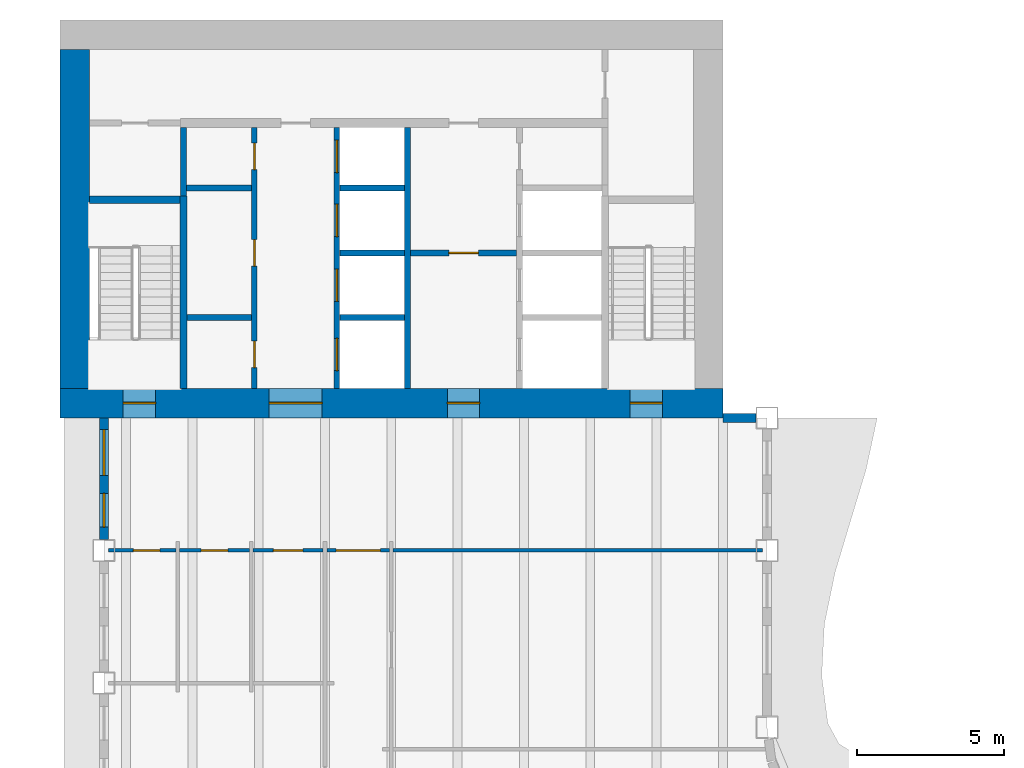
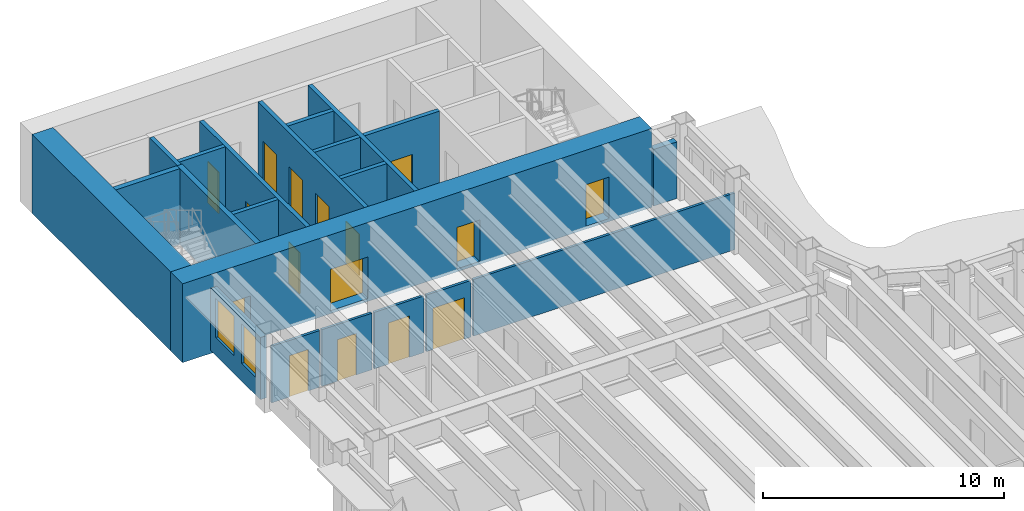
# One storey, part 9 of 17: 21 walls, 16 doors, 2 windows, 18 openings.
"""IFC4 building model written with IfcOpenShell, lengths in metres."""

from ifc_helpers import new_model, si_unit, direction, frame, frame_2d, origin, place, context, subcontext, project, spatial, rectangle, extrude, material, layer, layer_set, type_object, element, fill, save


model = new_model("IFC4")

# Units and contexts
model_context = context("Model", 3, precision=1e-05, world=origin(), true_north=direction((0.0, 1.0)))
body_context = subcontext(model_context, "Body", "Model", "MODEL_VIEW")
ifc_project = project(units=[si_unit("LENGTHUNIT", "METRE"), si_unit("AREAUNIT", "SQUARE_METRE"), si_unit("VOLUMEUNIT", "CUBIC_METRE"), si_unit("PLANEANGLEUNIT", "RADIAN"), si_unit("MASSUNIT", "GRAM", prefix="KILO")], contexts=[model_context])

# Site, building, storey
site_placement = place(None, origin())
site = spatial("IfcSite", under=ifc_project, at=site_placement, CompositionType="ELEMENT")
building_placement = place(site_placement, origin())
building = spatial("IfcBuilding", under=site, at=building_placement, Name="Sennacour Bend Tower", CompositionType="ELEMENT")
storey_placement = place(building_placement, frame((0.0, 0.0, 219.0)))
storey = spatial("IfcBuildingStorey", under=building, at=storey_placement, Name="L50", CompositionType="ELEMENT", Elevation=219.0)

# Wall, openings, doors
ifc_material_1 = material(Name="Concrete C60/75", Category="concrete")
ifc_layer_1 = layer(ifc_material_1, 1.0, Name="Concrete C60/75", Category="concrete")
ifc_layer_set_1 = layer_set([ifc_layer_1], Name="Concrete C60/75")
wall_type_1 = type_object("IfcWallType", Name="Core wall 1000 C60/75", PredefinedType="SHEAR", material=ifc_layer_set_1)
wall_1_placement = place(storey_placement, frame((0.0, 36.5, -0.14990234375), z_axis=(0.0, 0.0, 1.0), x_axis=(1.0, 0.0, 0.0)))
wall_1 = element("IfcWall", 1, at=wall_1_placement, inside=storey, type_object=wall_type_1, Name="Core B wall L50 S", PredefinedType="SHEAR", context=body_context, shape_type="SweptSolid", body=[
    extrude(rectangle(XDim=22.5, YDim=1.0, at=frame_2d((11.25, 0.0))), origin(), (0.0, 0.0, 1.0), 4.0),
])
opening_1_placement = place(wall_1_placement, frame((7.10009765625, 0.0, 0.14990234375)))
opening_1 = element("IfcOpeningElement", 2, at=opening_1_placement, cuts=wall_1, Name="Opening CD", PredefinedType="OPENING", context=body_context, shape_type="SweptSolid", body=[
    extrude(rectangle(XDim=1.800048828125, YDim=2.10009765625, at=frame_2d((0.89990234375, 1.050048828125))), frame((0.0, 0.510009765625, 0.0), z_axis=(0.0, -1.0, 0.0), x_axis=(1.0, 0.0, 0.0)), (0.0, 0.0, 1.0), 1.02001953125),
])
opening_2_placement = place(wall_1_placement, frame((13.14990234375, 0.0, 0.14990234375)))
opening_2 = element("IfcOpeningElement", 3, at=opening_2_placement, cuts=wall_1, Name="Opening FD", PredefinedType="OPENING", context=body_context, shape_type="SweptSolid", body=[
    extrude(rectangle(XDim=1.10009765625, YDim=2.10009765625, at=frame_2d((0.550048828125, 1.050048828125))), frame((0.0, 0.510009765625, 0.0), z_axis=(0.0, -1.0, 0.0), x_axis=(1.0, 0.0, 0.0)), (0.0, 0.0, 1.0), 1.02001953125),
])
opening_3_placement = place(wall_1_placement, frame((2.14990234375, 0.0, 0.14990234375)))
opening_3 = element("IfcOpeningElement", 4, at=opening_3_placement, cuts=wall_1, Name="Opening SD", PredefinedType="OPENING", context=body_context, shape_type="SweptSolid", body=[
    extrude(rectangle(XDim=1.10009765625, YDim=2.10009765625, at=frame_2d((0.550048828125, 1.050048828125))), frame((0.0, 0.510009765625, 0.0), z_axis=(0.0, -1.0, 0.0), x_axis=(1.0, 0.0, 0.0)), (0.0, 0.0, 1.0), 1.02001953125),
])
opening_4_placement = place(wall_1_placement, frame((19.35009765625, 0.0, 0.14990234375)))
opening_4 = element("IfcOpeningElement", 5, at=opening_4_placement, cuts=wall_1, Name="Opening SD", PredefinedType="OPENING", context=body_context, shape_type="SweptSolid", body=[
    extrude(rectangle(XDim=1.10009765625, YDim=2.10009765625, at=frame_2d((0.550048828125, 1.050048828125))), frame((0.0, 0.510009765625, 0.0), z_axis=(0.0, -1.0, 0.0), x_axis=(1.0, 0.0, 0.0)), (0.0, 0.0, 1.0), 1.02001953125),
])
ifc_material_2 = material(Name="Painted steel", Category="steel")
door_type_1 = type_object("IfcDoorType", Name="DR-FFL-1100", OperationType="NOTDEFINED", PredefinedType="DOOR", material=ifc_material_2)
door_1_placement = place(opening_2_placement, origin())
door_1 = element("IfcDoor", 6, at=door_1_placement, inside=storey, type_object=door_type_1, Name="Door", OperationType="SINGLE_SWING_RIGHT", OverallHeight=2.10009765625, OverallWidth=1.10009765625, PredefinedType="DOOR", context=body_context, shape_type="SweptSolid", body=[
    extrude(rectangle(XDim=1.10009765625, YDim=2.10009765625, at=frame_2d((0.550048828125, 1.050048828125))), frame((0.0, 0.02490234375, 0.0), z_axis=(0.0, -1.0, 0.0), x_axis=(1.0, 0.0, 0.0)), (0.0, 0.0, 1.0), 0.050048828125),
])
fill(opening_2, door_1)
door_type_2 = type_object("IfcDoorType", Name="DR-LOBBY-1800", OperationType="NOTDEFINED", PredefinedType="DOOR", material=ifc_material_2)
door_2_placement = place(opening_1_placement, origin())
door_2 = element("IfcDoor", 7, at=door_2_placement, inside=storey, type_object=door_type_2, Name="Door", OperationType="DOUBLE_DOOR_SINGLE_SWING", OverallHeight=2.10009765625, OverallWidth=1.800048828125, PredefinedType="DOOR", context=body_context, shape_type="SweptSolid", body=[
    extrude(rectangle(XDim=1.800048828125, YDim=2.10009765625, at=frame_2d((0.89990234375, 1.050048828125))), frame((0.0, 0.02490234375, 0.0), z_axis=(0.0, -1.0, 0.0), x_axis=(1.0, 0.0, 0.0)), (0.0, 0.0, 1.0), 0.050048828125),
])
fill(opening_1, door_2)
door_type_3 = type_object("IfcDoorType", Name="DR-STAIR-1100", OperationType="NOTDEFINED", PredefinedType="DOOR", material=ifc_material_2)
door_3_placement = place(opening_3_placement, origin())
door_3 = element("IfcDoor", 8, at=door_3_placement, inside=storey, type_object=door_type_3, Name="Door", OperationType="SINGLE_SWING_LEFT", OverallHeight=2.10009765625, OverallWidth=1.10009765625, PredefinedType="DOOR", context=body_context, shape_type="SweptSolid", body=[
    extrude(rectangle(XDim=1.10009765625, YDim=2.10009765625, at=frame_2d((0.550048828125, 1.050048828125))), frame((0.0, 0.02490234375, 0.0), z_axis=(0.0, -1.0, 0.0), x_axis=(1.0, 0.0, 0.0)), (0.0, 0.0, 1.0), 0.050048828125),
])
fill(opening_3, door_3)
door_4_placement = place(opening_4_placement, origin())
door_4 = element("IfcDoor", 9, at=door_4_placement, inside=storey, type_object=door_type_3, Name="Door", OperationType="SINGLE_SWING_RIGHT", OverallHeight=2.10009765625, OverallWidth=1.10009765625, PredefinedType="DOOR", context=body_context, shape_type="SweptSolid", body=[
    extrude(rectangle(XDim=1.10009765625, YDim=2.10009765625, at=frame_2d((0.550048828125, 1.050048828125))), frame((0.0, 0.02490234375, 0.0), z_axis=(0.0, -1.0, 0.0), x_axis=(1.0, 0.0, 0.0)), (0.0, 0.0, 1.0), 0.050048828125),
])
fill(opening_4, door_4)

# Wall
wall_2_placement = place(storey_placement, frame((0.5, 37.0, -0.14990234375), z_axis=(0.0, 0.0, 1.0), x_axis=(0.0, 1.0, 0.0)))
element("IfcWall", 10, at=wall_2_placement, inside=storey, type_object=wall_type_1, Name="Core B wall L50 W", PredefinedType="SHEAR", context=body_context, shape_type="SweptSolid", body=[
    extrude(rectangle(XDim=11.5, YDim=1.0, at=frame_2d((5.75, 0.0))), origin(), (0.0, 0.0, 1.0), 4.0),
])

# Wall, opening, door
ifc_material_3 = material(Name="Plasterboard partition on steel studs", Category="steel")
ifc_layer_2 = layer(ifc_material_3, 0.1201171875, Name="Plasterboard partition on steel studs", Category="steel")
ifc_layer_set_2 = layer_set([ifc_layer_2], Name="Plasterboard partition on steel studs")
wall_type_2 = type_object("IfcWallType", Name="Partition 120", PredefinedType="PARTITIONING", material=ifc_layer_set_2)
wall_3_placement = place(storey_placement, frame((1.64990234375, 31.5, 0.0), z_axis=(0.0, 0.0, 1.0), x_axis=(1.0, 0.0, 0.0)))
wall_3 = element("IfcWall", 11, at=wall_3_placement, inside=storey, type_object=wall_type_2, Name="P-L50-W077aa", PredefinedType="PARTITIONING", context=body_context, shape_type="SweptSolid", body=[
    extrude(rectangle(XDim=2.2900390625, YDim=0.1201171875, at=frame_2d((1.14501953125, 0.0))), origin(), (0.0, 0.0, 1.0), 2.8701171875),
])
opening_5_placement = place(wall_3_placement, frame((0.85009765625, 0.0, 0.0)))
opening_5 = element("IfcOpeningElement", 12, at=opening_5_placement, cuts=wall_3, Name="Opening WD", PredefinedType="OPENING", context=body_context, shape_type="SweptSolid", body=[
    extrude(rectangle(XDim=0.89990234375, YDim=2.10009765625, at=frame_2d((0.449951171875, 1.050048828125))), frame((0.0, 0.070068359375, 0.0), z_axis=(0.0, -1.0, 0.0), x_axis=(1.0, 0.0, 0.0)), (0.0, 0.0, 1.0), 0.14013671875),
])
ifc_material_4 = material(Name="Timber", Category="wood")
door_type_4 = type_object("IfcDoorType", Name="DR-WC-900", OperationType="NOTDEFINED", PredefinedType="DOOR", material=ifc_material_4)
door_5_placement = place(opening_5_placement, origin())
door_5 = element("IfcDoor", 13, at=door_5_placement, inside=storey, type_object=door_type_4, Name="Door", OperationType="SINGLE_SWING_RIGHT", OverallHeight=2.10009765625, OverallWidth=0.89990234375, PredefinedType="DOOR", context=body_context, shape_type="SweptSolid", body=[
    extrude(rectangle(XDim=0.89990234375, YDim=2.10009765625, at=frame_2d((0.449951171875, 1.050048828125))), frame((0.0, 0.02490234375, 0.0), z_axis=(0.0, -1.0, 0.0), x_axis=(1.0, 0.0, 0.0)), (0.0, 0.0, 1.0), 0.050048828125),
])
fill(opening_5, door_5)

wall_4_placement = place(storey_placement, frame((4.06005859375, 31.5, 0.0), z_axis=(0.0, 0.0, 1.0), x_axis=(1.0, 0.0, 0.0)))
wall_4 = element("IfcWall", 14, at=wall_4_placement, inside=storey, type_object=wall_type_2, Name="P-L50-W077ab", PredefinedType="PARTITIONING", context=body_context, shape_type="SweptSolid", body=[
    extrude(rectangle(XDim=2.3798828125, YDim=0.1201171875, at=frame_2d((1.18994140625, 0.0))), origin(), (0.0, 0.0, 1.0), 2.8701171875),
])
opening_6_placement = place(wall_4_placement, frame((0.739990234375, 0.0, 0.0)))
opening_6 = element("IfcOpeningElement", 15, at=opening_6_placement, cuts=wall_4, Name="Opening WD", PredefinedType="OPENING", context=body_context, shape_type="SweptSolid", body=[
    extrude(rectangle(XDim=0.89990234375, YDim=2.10009765625, at=frame_2d((0.449951171875, 1.050048828125))), frame((0.0, 0.070068359375, 0.0), z_axis=(0.0, -1.0, 0.0), x_axis=(1.0, 0.0, 0.0)), (0.0, 0.0, 1.0), 0.14013671875),
])
door_6_placement = place(opening_6_placement, origin())
door_6 = element("IfcDoor", 16, at=door_6_placement, inside=storey, type_object=door_type_4, Name="Door", OperationType="SINGLE_SWING_LEFT", OverallHeight=2.10009765625, OverallWidth=0.89990234375, PredefinedType="DOOR", context=body_context, shape_type="SweptSolid", body=[
    extrude(rectangle(XDim=0.89990234375, YDim=2.10009765625, at=frame_2d((0.449951171875, 1.050048828125))), frame((0.0, 0.02490234375, 0.0), z_axis=(0.0, -1.0, 0.0), x_axis=(1.0, 0.0, 0.0)), (0.0, 0.0, 1.0), 0.050048828125),
])
fill(opening_6, door_6)

wall_5_placement = place(storey_placement, frame((6.56005859375, 31.5, 0.0), z_axis=(0.0, 0.0, 1.0), x_axis=(1.0, 0.0, 0.0)))
wall_5 = element("IfcWall", 17, at=wall_5_placement, inside=storey, type_object=wall_type_2, Name="P-L50-W077ac", PredefinedType="PARTITIONING", context=body_context, shape_type="SweptSolid", body=[
    extrude(rectangle(XDim=2.3798828125, YDim=0.1201171875, at=frame_2d((1.18994140625, 0.0))), origin(), (0.0, 0.0, 1.0), 2.8701171875),
])
opening_7_placement = place(wall_5_placement, frame((0.68994140625, 0.0, 0.0)))
opening_7 = element("IfcOpeningElement", 18, at=opening_7_placement, cuts=wall_5, Name="Opening AD", PredefinedType="OPENING", context=body_context, shape_type="SweptSolid", body=[
    extrude(rectangle(XDim=1.0, YDim=2.10009765625, at=frame_2d((0.5, 1.050048828125))), frame((0.0, 0.070068359375, 0.0), z_axis=(0.0, -1.0, 0.0), x_axis=(1.0, 0.0, 0.0)), (0.0, 0.0, 1.0), 0.14013671875),
])
door_type_5 = type_object("IfcDoorType", Name="DR-ACC-WC-1000", OperationType="NOTDEFINED", PredefinedType="DOOR", material=ifc_material_4)
door_7_placement = place(opening_7_placement, origin())
door_7 = element("IfcDoor", 19, at=door_7_placement, inside=storey, type_object=door_type_5, Name="Door", OperationType="SINGLE_SWING_LEFT", OverallHeight=2.10009765625, OverallWidth=1.0, PredefinedType="DOOR", context=body_context, shape_type="SweptSolid", body=[
    extrude(rectangle(XDim=1.0, YDim=2.10009765625, at=frame_2d((0.5, 1.050048828125))), frame((0.0, 0.02490234375, 0.0), z_axis=(0.0, -1.0, 0.0), x_axis=(1.0, 0.0, 0.0)), (0.0, 0.0, 1.0), 0.050048828125),
])
fill(opening_7, door_7)

# Wall
wall_6_placement = place(storey_placement, frame((11.31005859375, 31.5, 0.0), z_axis=(0.0, 0.0, 1.0), x_axis=(1.0, 0.0, 0.0)))
element("IfcWall", 20, at=wall_6_placement, inside=storey, type_object=wall_type_2, Name="P-L50-W077ae", PredefinedType="PARTITIONING", context=body_context, shape_type="SweptSolid", body=[
    extrude(rectangle(XDim=12.5400390625, YDim=0.1201171875, at=frame_2d((6.27001953125, 0.0))), origin(), (0.0, 0.0, 1.0), 2.8701171875),
])

# Wall, opening, door
ifc_layer_3 = layer(ifc_material_3, 0.1201171875, Name="Plasterboard partition on steel studs", Category="steel")
ifc_layer_set_3 = layer_set([ifc_layer_3], Name="Plasterboard partition on steel studs")
wall_type_3 = type_object("IfcWallType", Name="Partition 120 EI 30", PredefinedType="PARTITIONING", material=ifc_layer_set_3)
wall_7_placement = place(storey_placement, frame((9.06005859375, 31.5, 0.0), z_axis=(0.0, 0.0, 1.0), x_axis=(1.0, 0.0, 0.0)))
wall_7 = element("IfcWall", 21, at=wall_7_placement, inside=storey, type_object=wall_type_3, Name="P-L50-W077ad", PredefinedType="PARTITIONING", context=body_context, shape_type="SweptSolid", body=[
    extrude(rectangle(XDim=2.1298828125, YDim=0.1201171875, at=frame_2d((1.06494140625, 0.0))), origin(), (0.0, 0.0, 1.0), 2.8701171875),
])
opening_8_placement = place(wall_7_placement, frame((0.31494140625, 0.0, 0.0)))
opening_8 = element("IfcOpeningElement", 22, at=opening_8_placement, cuts=wall_7, Name="Opening KD", PredefinedType="OPENING", context=body_context, shape_type="SweptSolid", body=[
    extrude(rectangle(XDim=1.5, YDim=2.10009765625, at=frame_2d((0.75, 1.050048828125))), frame((0.0, 0.070068359375, 0.0), z_axis=(0.0, -1.0, 0.0), x_axis=(1.0, 0.0, 0.0)), (0.0, 0.0, 1.0), 0.14013671875),
])
door_type_6 = type_object("IfcDoorType", Name="DR-CORRIDOR-1500", OperationType="NOTDEFINED", PredefinedType="DOOR", material=ifc_material_2)
door_8_placement = place(opening_8_placement, origin())
door_8 = element("IfcDoor", 23, at=door_8_placement, inside=storey, type_object=door_type_6, Name="Door", OperationType="SINGLE_SWING_LEFT", OverallHeight=2.10009765625, OverallWidth=1.5, PredefinedType="DOOR", context=body_context, shape_type="SweptSolid", body=[
    extrude(rectangle(XDim=1.5, YDim=2.10009765625, at=frame_2d((0.75, 1.050048828125))), frame((0.0, 0.02490234375, 0.0), z_axis=(0.0, -1.0, 0.0), x_axis=(1.0, 0.0, 0.0)), (0.0, 0.0, 1.0), 0.050048828125),
])
fill(opening_8, door_8)

# Wall
ifc_material_5 = material(Name="Fire-rated plasterboard partition on steel studs", Category="steel")
ifc_layer_4 = layer(ifc_material_5, 0.199951171875, Name="Fire-rated plasterboard partition on steel studs", Category="steel")
ifc_layer_set_4 = layer_set([ifc_layer_4], Name="Fire-rated plasterboard partition on steel studs")
wall_type_4 = type_object("IfcWallType", Name="Rated partition 200", PredefinedType="PARTITIONING", material=ifc_layer_set_4)
wall_8_placement = place(storey_placement, frame((4.199951171875, 43.52490234375, 0.0), z_axis=(0.0, 0.0, 1.0), x_axis=(0.0, 1.0, 0.0)))
element("IfcWall", 24, at=wall_8_placement, inside=storey, type_object=wall_type_4, Name="P-L50-W006", PredefinedType="PARTITIONING", context=body_context, shape_type="SweptSolid", body=[
    extrude(rectangle(XDim=2.3251953125, YDim=0.199951171875, at=frame_2d((1.16259765625, 0.0))), origin(), (0.0, 0.0, 1.0), 3.85009765625),
])

# Wall, openings, doors
wall_9_placement = place(storey_placement, frame((6.60009765625, 37.0, 0.0), z_axis=(0.0, 0.0, 1.0), x_axis=(0.0, 1.0, 0.0)))
wall_9 = element("IfcWall", 25, at=wall_9_placement, inside=storey, type_object=wall_type_4, Name="P-L50-W008", PredefinedType="PARTITIONING", context=body_context, shape_type="SweptSolid", body=[
    extrude(rectangle(XDim=8.85009765625, YDim=0.199951171875, at=frame_2d((4.425048828125, 0.0))), origin(), (0.0, 0.0, 1.0), 3.85009765625),
])
opening_9_placement = place(wall_9_placement, frame((0.699951171875, 0.0, 0.0)))
opening_9 = element("IfcOpeningElement", 26, at=opening_9_placement, cuts=wall_9, Name="Opening SV", PredefinedType="OPENING", context=body_context, shape_type="SweptSolid", body=[
    extrude(rectangle(XDim=0.89990234375, YDim=2.10009765625, at=frame_2d((0.449951171875, 1.050048828125))), frame((0.0, 0.10986328125, 0.0), z_axis=(0.0, -1.0, 0.0), x_axis=(1.0, 0.0, 0.0)), (0.0, 0.0, 1.0), 0.219970703125),
])
opening_10_placement = place(wall_9_placement, frame((4.14990234375, 0.0, 0.0)))
opening_10 = element("IfcOpeningElement", 27, at=opening_10_placement, cuts=wall_9, Name="Opening WD", PredefinedType="OPENING", context=body_context, shape_type="SweptSolid", body=[
    extrude(rectangle(XDim=0.89990234375, YDim=2.10009765625, at=frame_2d((0.449951171875, 1.050048828125))), frame((0.0, 0.10986328125, 0.0), z_axis=(0.0, -1.0, 0.0), x_axis=(1.0, 0.0, 0.0)), (0.0, 0.0, 1.0), 0.219970703125),
])
opening_11_placement = place(wall_9_placement, frame((7.425048828125, 0.0, 0.0)))
opening_11 = element("IfcOpeningElement", 28, at=opening_11_placement, cuts=wall_9, Name="Opening SV", PredefinedType="OPENING", context=body_context, shape_type="SweptSolid", body=[
    extrude(rectangle(XDim=0.89990234375, YDim=2.10009765625, at=frame_2d((0.449951171875, 1.050048828125))), frame((0.0, 0.10986328125, 0.0), z_axis=(0.0, -1.0, 0.0), x_axis=(1.0, 0.0, 0.0)), (0.0, 0.0, 1.0), 0.219970703125),
])
door_type_7 = type_object("IfcDoorType", Name="DR-SERVICE-900", OperationType="NOTDEFINED", PredefinedType="DOOR", material=ifc_material_2)
door_9_placement = place(opening_9_placement, origin())
door_9 = element("IfcDoor", 29, at=door_9_placement, inside=storey, type_object=door_type_7, Name="Door", OperationType="SINGLE_SWING_LEFT", OverallHeight=2.10009765625, OverallWidth=0.89990234375, PredefinedType="DOOR", context=body_context, shape_type="SweptSolid", body=[
    extrude(rectangle(XDim=0.89990234375, YDim=2.10009765625, at=frame_2d((0.449951171875, 1.050048828125))), frame((0.0, 0.02490234375, 0.0), z_axis=(0.0, -1.0, 0.0), x_axis=(1.0, 0.0, 0.0)), (0.0, 0.0, 1.0), 0.050048828125),
])
fill(opening_9, door_9)
door_10_placement = place(opening_11_placement, origin())
door_10 = element("IfcDoor", 30, at=door_10_placement, inside=storey, type_object=door_type_7, Name="Door", OperationType="SINGLE_SWING_RIGHT", OverallHeight=2.10009765625, OverallWidth=0.89990234375, PredefinedType="DOOR", context=body_context, shape_type="SweptSolid", body=[
    extrude(rectangle(XDim=0.89990234375, YDim=2.10009765625, at=frame_2d((0.449951171875, 1.050048828125))), frame((0.0, 0.02490234375, 0.0), z_axis=(0.0, -1.0, 0.0), x_axis=(1.0, 0.0, 0.0)), (0.0, 0.0, 1.0), 0.050048828125),
])
fill(opening_11, door_10)
door_11_placement = place(opening_10_placement, origin())
door_11 = element("IfcDoor", 31, at=door_11_placement, inside=storey, type_object=door_type_4, Name="Door", OperationType="SINGLE_SWING_RIGHT", OverallHeight=2.10009765625, OverallWidth=0.89990234375, PredefinedType="DOOR", context=body_context, shape_type="SweptSolid", body=[
    extrude(rectangle(XDim=0.89990234375, YDim=2.10009765625, at=frame_2d((0.449951171875, 1.050048828125))), frame((0.0, 0.02490234375, 0.0), z_axis=(0.0, -1.0, 0.0), x_axis=(1.0, 0.0, 0.0)), (0.0, 0.0, 1.0), 0.050048828125),
])
fill(opening_10, door_11)

# Walls
wall_10_placement = place(storey_placement, frame((4.324951171875, 39.39990234375, 0.0), z_axis=(0.0, 0.0, 1.0), x_axis=(1.0, 0.0, 0.0)))
element("IfcWall", 32, at=wall_10_placement, inside=storey, type_object=wall_type_4, Name="P-L50-W079", PredefinedType="PARTITIONING", context=body_context, shape_type="SweptSolid", body=[
    extrude(rectangle(XDim=2.175048828125, YDim=0.199951171875, at=frame_2d((1.08740234375, 0.0))), origin(), (0.0, 0.0, 1.0), 3.85009765625),
])
wall_11_placement = place(storey_placement, frame((4.300048828125, 43.800048828125, 0.0), z_axis=(0.0, 0.0, 1.0), x_axis=(1.0, 0.0, 0.0)))
element("IfcWall", 33, at=wall_11_placement, inside=storey, type_object=wall_type_4, Name="P-L50-W087", PredefinedType="PARTITIONING", context=body_context, shape_type="SweptSolid", body=[
    extrude(rectangle(XDim=2.199951171875, YDim=0.199951171875, at=frame_2d((1.10009765625, 0.0))), origin(), (0.0, 0.0, 1.0), 3.85009765625),
])

# Wall, opening, door
ifc_layer_5 = layer(ifc_material_5, 0.199951171875, Name="Fire-rated plasterboard partition on steel studs", Category="steel")
ifc_layer_set_5 = layer_set([ifc_layer_5], Name="Fire-rated plasterboard partition on steel studs")
wall_type_5 = type_object("IfcWallType", Name="Rated partition 200 EI 90", PredefinedType="PARTITIONING", material=ifc_layer_set_5)
wall_12_placement = place(storey_placement, frame((11.89990234375, 41.60009765625, 0.0), z_axis=(0.0, 0.0, 1.0), x_axis=(1.0, 0.0, 0.0)))
wall_12 = element("IfcWall", 34, at=wall_12_placement, inside=storey, type_object=wall_type_5, Name="P-L50-W083", PredefinedType="PARTITIONING", context=body_context, shape_type="SweptSolid", body=[
    extrude(rectangle(XDim=3.60009765625, YDim=0.199951171875, at=frame_2d((1.800048828125, 0.0))), origin(), (0.0, 0.0, 1.0), 3.85009765625),
])
opening_12_placement = place(wall_12_placement, frame((1.300048828125, 0.0, 0.0)))
opening_12 = element("IfcOpeningElement", 35, at=opening_12_placement, cuts=wall_12, Name="Opening FD2", PredefinedType="OPENING", context=body_context, shape_type="SweptSolid", body=[
    extrude(rectangle(XDim=1.0, YDim=2.10009765625, at=frame_2d((0.5, 1.050048828125))), frame((0.0, 0.10986328125, 0.0), z_axis=(0.0, -1.0, 0.0), x_axis=(1.0, 0.0, 0.0)), (0.0, 0.0, 1.0), 0.219970703125),
])
door_type_8 = type_object("IfcDoorType", Name="DR-FFL-1000", OperationType="NOTDEFINED", PredefinedType="DOOR", material=ifc_material_2)
door_12_placement = place(opening_12_placement, origin())
door_12 = element("IfcDoor", 36, at=door_12_placement, inside=storey, type_object=door_type_8, Name="Door", OperationType="SINGLE_SWING_LEFT", OverallHeight=2.10009765625, OverallWidth=1.0, PredefinedType="DOOR", context=body_context, shape_type="SweptSolid", body=[
    extrude(rectangle(XDim=1.0, YDim=2.10009765625, at=frame_2d((0.5, 1.050048828125))), frame((0.0, 0.02490234375, 0.0), z_axis=(0.0, -1.0, 0.0), x_axis=(1.0, 0.0, 0.0)), (0.0, 0.0, 1.0), 0.050048828125),
])
fill(opening_12, door_12)

# Wall
ifc_material_6 = material(Name="Warm limestone cladding", Category="masonry")
ifc_layer_6 = layer(ifc_material_6, 0.050048828125, Name="Warm limestone cladding", Category="masonry")
ifc_material_7 = material(Name="Precast concrete C40/50", Category="concrete")
ifc_layer_7 = layer(ifc_material_7, 0.25, Name="Precast concrete C40/50", Category="concrete")
ifc_layer_set_6 = layer_set([ifc_layer_6, ifc_layer_7], Name="Precast concrete C40/50 with limestone cladding")
wall_type_6 = type_object("IfcWallType", Name="STONE-CLAD PRECAST SPANDREL 300", PredefinedType="STANDARD", material=ifc_layer_set_6)
wall_13_placement = place(storey_placement, frame((23.625, 36.0, 0.0), z_axis=(0.0, 0.0, 1.0), x_axis=(-1.0, 0.0, 0.0)))
element("IfcWall", 37, at=wall_13_placement, inside=storey, type_object=wall_type_6, Name="Stone spandrel and pier wall L50 14.00", PredefinedType="STANDARD", context=body_context, shape_type="SweptSolid", body=[
    extrude(rectangle(XDim=1.125, YDim=0.300048828125, at=frame_2d((0.5625, 0.0))), origin(), (0.0, 0.0, 1.0), 2.8701171875),
])

# Wall, openings, windows
wall_14_placement = place(storey_placement, frame((1.5, 36.0, 0.0), z_axis=(0.0, 0.0, 1.0), x_axis=(0.0, -1.0, 0.0)))
wall_14 = element("IfcWall", 38, at=wall_14_placement, inside=storey, type_object=wall_type_6, Name="Stone spandrel and pier wall L50 19.00", PredefinedType="STANDARD", context=body_context, shape_type="SweptSolid", body=[
    extrude(rectangle(XDim=4.125, YDim=0.300048828125, at=frame_2d((2.0625, 0.0))), origin(), (0.0, 0.0, 1.0), 3.156982421875),
])
opening_13_placement = place(wall_14_placement, frame((0.39990234375, 0.0, 0.89990234375)))
opening_13 = element("IfcOpeningElement", 39, at=opening_13_placement, cuts=wall_14, Name="Opening W9", PredefinedType="OPENING", context=body_context, shape_type="SweptSolid", body=[
    extrude(rectangle(XDim=1.550048828125, YDim=2.0, at=frame_2d((0.77490234375, 1.0))), frame((0.0, 0.16015625, 0.0), z_axis=(0.0, -1.0, 0.0), x_axis=(1.0, 0.0, 0.0)), (0.0, 0.0, 1.0), 0.320068359375),
])
opening_14_placement = place(wall_14_placement, frame((2.5625, 0.0, 0.89990234375)))
opening_14 = element("IfcOpeningElement", 40, at=opening_14_placement, cuts=wall_14, Name="Opening W24", PredefinedType="OPENING", context=body_context, shape_type="SweptSolid", body=[
    extrude(rectangle(XDim=1.14990234375, YDim=2.0, at=frame_2d((0.574951171875, 1.0))), frame((0.0, 0.16015625, 0.0), z_axis=(0.0, -1.0, 0.0), x_axis=(1.0, 0.0, 0.0)), (0.0, 0.0, 1.0), 0.320068359375),
])
ifc_material_8 = material(Name="Clear low-emissivity glass", Category="glass")
window_type_1 = type_object("IfcWindowType", Name="WIN-RIBBON-1150x2000", PartitioningType="SINGLE_PANEL", PredefinedType="WINDOW", material=ifc_material_8)
window_1_placement = place(opening_14_placement, origin())
window_1 = element("IfcWindow", 41, at=window_1_placement, inside=storey, type_object=window_type_1, Name="Ribbon window L50 19.00.1", OverallHeight=2.0, OverallWidth=1.14990234375, PartitioningType="SINGLE_PANEL", PredefinedType="WINDOW", context=body_context, shape_type="SweptSolid", body=[
    extrude(rectangle(XDim=1.14990234375, YDim=2.0, at=frame_2d((0.574951171875, 1.0))), frame((0.0, 0.030029296875, 0.0), z_axis=(0.0, -1.0, 0.0), x_axis=(1.0, 0.0, 0.0)), (0.0, 0.0, 1.0), 0.06005859375),
])
fill(opening_14, window_1)
window_type_2 = type_object("IfcWindowType", Name="WIN-RIBBON-1550x2000", PartitioningType="SINGLE_PANEL", PredefinedType="WINDOW", material=ifc_material_8)
window_2_placement = place(opening_13_placement, origin())
window_2 = element("IfcWindow", 42, at=window_2_placement, inside=storey, type_object=window_type_2, Name="Ribbon window L50 19.00.0", OverallHeight=2.0, OverallWidth=1.550048828125, PartitioningType="SINGLE_PANEL", PredefinedType="WINDOW", context=body_context, shape_type="SweptSolid", body=[
    extrude(rectangle(XDim=1.550048828125, YDim=2.0, at=frame_2d((0.77490234375, 1.0))), frame((0.0, 0.030029296875, 0.0), z_axis=(0.0, -1.0, 0.0), x_axis=(1.0, 0.0, 0.0)), (0.0, 0.0, 1.0), 0.06005859375),
])
fill(opening_13, window_2)

# Wall, openings, doors
ifc_material_9 = material(Name="Concrete C50/60", Category="concrete")
ifc_layer_8 = layer(ifc_material_9, 0.199951171875, Name="Concrete C50/60", Category="concrete")
ifc_layer_set_7 = layer_set([ifc_layer_8], Name="Concrete C50/60")
wall_type_7 = type_object("IfcWallType", Name="Shaft wall 200", PredefinedType="SOLIDWALL", material=ifc_layer_set_7)
wall_15_placement = place(storey_placement, frame((9.39990234375, 37.0, 0.0), z_axis=(0.0, 0.0, 1.0), x_axis=(0.0, 1.0, 0.0)))
wall_15 = element("IfcWall", 43, at=wall_15_placement, inside=storey, type_object=wall_type_7, Name="P-L50-W011", PredefinedType="SOLIDWALL", context=body_context, shape_type="SweptSolid", body=[
    extrude(rectangle(XDim=8.85009765625, YDim=0.199951171875, at=frame_2d((4.425048828125, 0.0))), origin(), (0.0, 0.0, 1.0), 3.85009765625),
])
opening_15_placement = place(wall_15_placement, frame((0.60009765625, 0.0, 0.011962890625)))
opening_15 = element("IfcOpeningElement", 44, at=opening_15_placement, cuts=wall_15, Name="Opening LD", PredefinedType="OPENING", context=body_context, shape_type="SweptSolid", body=[
    extrude(rectangle(XDim=1.10009765625, YDim=2.10009765625, at=frame_2d((0.550048828125, 1.050048828125))), frame((0.0, 0.10986328125, 0.0), z_axis=(0.0, -1.0, 0.0), x_axis=(1.0, 0.0, 0.0)), (0.0, 0.0, 1.0), 0.219970703125),
])
opening_16_placement = place(wall_15_placement, frame((2.949951171875, 0.0, 0.011962890625)))
opening_16 = element("IfcOpeningElement", 45, at=opening_16_placement, cuts=wall_15, Name="Opening LD", PredefinedType="OPENING", context=body_context, shape_type="SweptSolid", body=[
    extrude(rectangle(XDim=1.10009765625, YDim=2.10009765625, at=frame_2d((0.550048828125, 1.050048828125))), frame((0.0, 0.10986328125, 0.0), z_axis=(0.0, -1.0, 0.0), x_axis=(1.0, 0.0, 0.0)), (0.0, 0.0, 1.0), 0.219970703125),
])
opening_17_placement = place(wall_15_placement, frame((5.14990234375, 0.0, 0.011962890625)))
opening_17 = element("IfcOpeningElement", 46, at=opening_17_placement, cuts=wall_15, Name="Opening LD", PredefinedType="OPENING", context=body_context, shape_type="SweptSolid", body=[
    extrude(rectangle(XDim=1.10009765625, YDim=2.10009765625, at=frame_2d((0.550048828125, 1.050048828125))), frame((0.0, 0.10986328125, 0.0), z_axis=(0.0, -1.0, 0.0), x_axis=(1.0, 0.0, 0.0)), (0.0, 0.0, 1.0), 0.219970703125),
])
opening_18_placement = place(wall_15_placement, frame((7.324951171875, 0.0, 0.011962890625)))
opening_18 = element("IfcOpeningElement", 47, at=opening_18_placement, cuts=wall_15, Name="Opening LD", PredefinedType="OPENING", context=body_context, shape_type="SweptSolid", body=[
    extrude(rectangle(XDim=1.10009765625, YDim=2.10009765625, at=frame_2d((0.550048828125, 1.050048828125))), frame((0.0, 0.10986328125, 0.0), z_axis=(0.0, -1.0, 0.0), x_axis=(1.0, 0.0, 0.0)), (0.0, 0.0, 1.0), 0.219970703125),
])
ifc_material_10 = material(Name="Stainless steel", Category="steel")
door_type_9 = type_object("IfcDoorType", Name="DR-LANDING-1100", OperationType="NOTDEFINED", PredefinedType="DOOR", material=ifc_material_10)
door_13_placement = place(opening_15_placement, origin())
door_13 = element("IfcDoor", 48, at=door_13_placement, inside=storey, type_object=door_type_9, Name="Lift landing door MB1", OperationType="SLIDING_TO_LEFT", OverallHeight=2.10009765625, OverallWidth=1.10009765625, PredefinedType="DOOR", context=body_context, shape_type="SweptSolid", body=[
    extrude(rectangle(XDim=1.10009765625, YDim=2.10009765625, at=frame_2d((0.550048828125, 1.050048828125))), frame((0.0, 0.02490234375, 0.0), z_axis=(0.0, -1.0, 0.0), x_axis=(1.0, 0.0, 0.0)), (0.0, 0.0, 1.0), 0.050048828125),
])
fill(opening_15, door_13)
door_14_placement = place(opening_16_placement, origin())
door_14 = element("IfcDoor", 49, at=door_14_placement, inside=storey, type_object=door_type_9, Name="Lift landing door MB2", OperationType="SLIDING_TO_RIGHT", OverallHeight=2.10009765625, OverallWidth=1.10009765625, PredefinedType="DOOR", context=body_context, shape_type="SweptSolid", body=[
    extrude(rectangle(XDim=1.10009765625, YDim=2.10009765625, at=frame_2d((0.550048828125, 1.050048828125))), frame((0.0, 0.02490234375, 0.0), z_axis=(0.0, -1.0, 0.0), x_axis=(1.0, 0.0, 0.0)), (0.0, 0.0, 1.0), 0.050048828125),
])
fill(opening_16, door_14)
door_15_placement = place(opening_17_placement, origin())
door_15 = element("IfcDoor", 50, at=door_15_placement, inside=storey, type_object=door_type_9, Name="Lift landing door MB3", OperationType="SLIDING_TO_LEFT", OverallHeight=2.10009765625, OverallWidth=1.10009765625, PredefinedType="DOOR", context=body_context, shape_type="SweptSolid", body=[
    extrude(rectangle(XDim=1.10009765625, YDim=2.10009765625, at=frame_2d((0.550048828125, 1.050048828125))), frame((0.0, 0.02490234375, 0.0), z_axis=(0.0, -1.0, 0.0), x_axis=(1.0, 0.0, 0.0)), (0.0, 0.0, 1.0), 0.050048828125),
])
fill(opening_17, door_15)
door_16_placement = place(opening_18_placement, origin())
door_16 = element("IfcDoor", 51, at=door_16_placement, inside=storey, type_object=door_type_9, Name="Lift landing door MB4", OperationType="SLIDING_TO_RIGHT", OverallHeight=2.10009765625, OverallWidth=1.10009765625, PredefinedType="DOOR", context=body_context, shape_type="SweptSolid", body=[
    extrude(rectangle(XDim=1.10009765625, YDim=2.10009765625, at=frame_2d((0.550048828125, 1.050048828125))), frame((0.0, 0.02490234375, 0.0), z_axis=(0.0, -1.0, 0.0), x_axis=(1.0, 0.0, 0.0)), (0.0, 0.0, 1.0), 0.050048828125),
])
fill(opening_18, door_16)

# Walls
wall_16_placement = place(storey_placement, frame((11.800048828125, 37.0, 0.0), z_axis=(0.0, 0.0, 1.0), x_axis=(0.0, 1.0, 0.0)))
element("IfcWall", 52, at=wall_16_placement, inside=storey, type_object=wall_type_7, Name="P-L50-W014", PredefinedType="SOLIDWALL", context=body_context, shape_type="SweptSolid", body=[
    extrude(rectangle(XDim=8.85009765625, YDim=0.199951171875, at=frame_2d((4.425048828125, 0.0))), origin(), (0.0, 0.0, 1.0), 3.85009765625),
])
for number, where, z_axis, x_axis, name in (
    (53, (9.5, 39.39990234375, 0.0), (0.0, 0.0, 1.0), (1.0, 0.0, 0.0), "P-L50-W080"),
    (54, (9.5, 41.60009765625, 0.0), (0.0, 0.0, 1.0), (1.0, 0.0, 0.0), "P-L50-W082"),
    (55, (9.5, 43.800048828125, 0.0), (0.0, 0.0, 1.0), (1.0, 0.0, 0.0), "P-L50-W088"),
):
    element("IfcWall", number, at=place(storey_placement, frame(where, z_axis=z_axis, x_axis=x_axis)), inside=storey, type_object=wall_type_7, Name=name, PredefinedType="SOLIDWALL", context=body_context, shape_type="SweptSolid", body=[
        extrude(rectangle(XDim=2.199951171875, YDim=0.199951171875, at=frame_2d((1.10009765625, 0.0))), origin(), (0.0, 0.0, 1.0), 3.85009765625),
    ])
ifc_layer_9 = layer(ifc_material_1, 0.25, Name="Concrete C60/75", Category="concrete")
ifc_layer_set_8 = layer_set([ifc_layer_9], Name="Concrete C60/75")
wall_type_8 = type_object("IfcWallType", Name="Stair wall 250", PredefinedType="SHEAR", material=ifc_layer_set_8)
wall_17_placement = place(storey_placement, frame((4.199951171875, 37.0, 0.0), z_axis=(0.0, 0.0, 1.0), x_axis=(0.0, 1.0, 0.0)))
element("IfcWall", 56, at=wall_17_placement, inside=storey, type_object=wall_type_8, Name="P-L50-W005", PredefinedType="SHEAR", context=body_context, shape_type="SweptSolid", body=[
    extrude(rectangle(XDim=6.52490234375, YDim=0.25, at=frame_2d((3.262451171875, 0.0))), origin(), (0.0, 0.0, 1.0), 3.85009765625),
])
wall_18_placement = place(storey_placement, frame((1.0, 43.39990234375, 0.0), z_axis=(0.0, 0.0, 1.0), x_axis=(1.0, 0.0, 0.0)))
element("IfcWall", 57, at=wall_18_placement, inside=storey, type_object=wall_type_8, Name="P-L50-W085", PredefinedType="SHEAR", context=body_context, shape_type="SweptSolid", body=[
    extrude(rectangle(XDim=3.074951171875, YDim=0.25, at=frame_2d((1.53759765625, 0.0))), origin(), (0.0, 0.0, 1.0), 3.85009765625),
])

save(model, "model.ifc")
